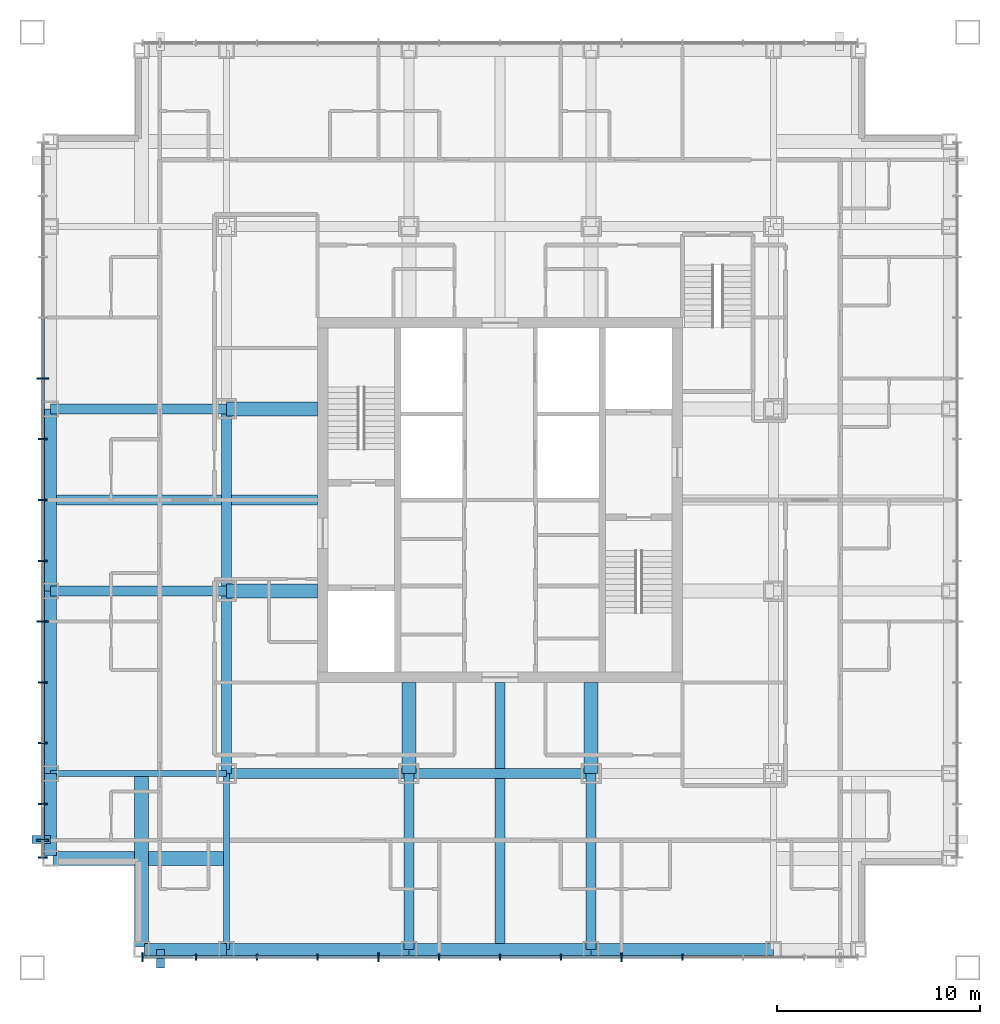
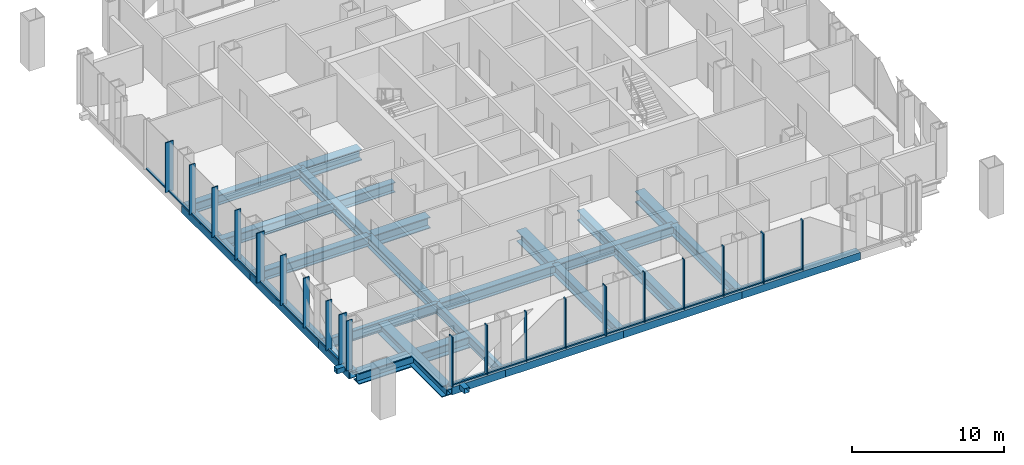
# One storey, part 2 of 15: 40 members, 25 beams, 2 elements without a shape of their own.
"""IFC4 building model written with IfcOpenShell, lengths in metres."""

from ifc_helpers import new_model, si_unit, direction, frame, origin, origin_2d, place, context, subcontext, project, spatial, rectangle, hollow_rectangle, i_section, extrude, material, layer, layer_set, material_profile, profile_set, type_object, element, aggregate, save


model = new_model("IFC4")

# Units and contexts
model_context = context("Model", 3, precision=1e-05, world=origin(), true_north=direction((0.0, 1.0)))
body_context = subcontext(model_context, "Body", "Model", "MODEL_VIEW")
ifc_project = project(units=[si_unit("LENGTHUNIT", "METRE"), si_unit("AREAUNIT", "SQUARE_METRE"), si_unit("VOLUMEUNIT", "CUBIC_METRE"), si_unit("PLANEANGLEUNIT", "RADIAN"), si_unit("MASSUNIT", "GRAM", prefix="KILO")], contexts=[model_context])

# Site, building, storey
site_placement = place(None, origin())
site = spatial("IfcSite", under=ifc_project, at=site_placement, CompositionType="ELEMENT")
building_placement = place(site_placement, origin())
building = spatial("IfcBuilding", under=site, at=building_placement, Name="Malebo Sky Hospital", CompositionType="ELEMENT")
storey_placement = place(building_placement, frame((0.0, 0.0, 181.0)))
storey = spatial("IfcBuildingStorey", under=building, at=storey_placement, Name="L43", CompositionType="ELEMENT", Elevation=181.0)

# Curtain wall, members
ifc_material_1 = material(Name="Anodised aluminium, natural silver", Category="aluminium")
ifc_layer_1 = layer(ifc_material_1, 0.25)
ifc_layer_set_1 = layer_set([ifc_layer_1], Name="WARD CURTAIN WALL EAST AND WEST")
curtain_wall_type_1 = type_object("IfcCurtainWallType", Name="WARD CURTAIN WALL EAST AND WEST", PredefinedType="NOTDEFINED", material=ifc_layer_set_1)
curtain_wall_1_placement = place(storey_placement, origin())
curtain_wall_1 = element("IfcCurtainWall", 1, at=curtain_wall_1_placement, inside=storey, type_object=curtain_wall_type_1, Name="EW curtain wall W", PredefinedType="NOTDEFINED")
ifc_material_profile_1 = material_profile(ifc_material_1, rectangle(XDim=0.14990234375, YDim=0.10009765625, at=origin_2d()), Name="ALUMINIUM TRANSOM 150x100")
ifc_profile_set_1 = profile_set([ifc_material_profile_1], Name="Anodised aluminium, natural silver")
member_type_1 = type_object("IfcMemberType", Name="ALUMINIUM TRANSOM 150x100", PredefinedType="USERDEFINED", material=ifc_profile_set_1)
member_1_placement = place(storey_placement, frame((37.425048828125, 45.237548828125, 0.050048828125), z_axis=(0.0, 1.0, 0.0), x_axis=(-1.0, 0.0, 0.0)))
member_1 = element("IfcMember", 2, at=member_1_placement, type_object=member_type_1, Name="Transom 2", ObjectType="TRANSOM", PredefinedType="USERDEFINED", context=body_context, shape_type="SweptSolid", body=[
    extrude(rectangle(XDim=0.14990234375, YDim=0.10009765625, at=origin_2d()), origin(), (0.0, 0.0, 1.0), 1.724853515625),
])
member_2_placement = place(storey_placement, frame((37.425048828125, 47.03759765625, 0.050048828125), z_axis=(0.0, 1.0, 0.0), x_axis=(-1.0, 0.0, 0.0)))
member_2 = element("IfcMember", 3, at=member_2_placement, type_object=member_type_1, Name="Transom 3", ObjectType="TRANSOM", PredefinedType="USERDEFINED", context=body_context, shape_type="SweptSolid", body=[
    extrude(rectangle(XDim=0.14990234375, YDim=0.10009765625, at=origin_2d()), origin(), (0.0, 0.0, 1.0), 2.9248046875),
])
member_3_placement = place(storey_placement, frame((37.425048828125, 50.03759765625, 0.050048828125), z_axis=(0.0, 1.0, 0.0), x_axis=(-1.0, 0.0, 0.0)))
member_3 = element("IfcMember", 4, at=member_3_placement, type_object=member_type_1, Name="Transom 4", ObjectType="TRANSOM", PredefinedType="USERDEFINED", context=body_context, shape_type="SweptSolid", body=[
    extrude(rectangle(XDim=0.14990234375, YDim=0.10009765625, at=origin_2d()), origin(), (0.0, 0.0, 1.0), 2.9248046875),
])
member_4_placement = place(storey_placement, frame((37.425048828125, 53.03759765625, 0.050048828125), z_axis=(0.0, 1.0, 0.0), x_axis=(-1.0, 0.0, 0.0)))
member_4 = element("IfcMember", 5, at=member_4_placement, type_object=member_type_1, Name="Transom 5", ObjectType="TRANSOM", PredefinedType="USERDEFINED", context=body_context, shape_type="SweptSolid", body=[
    extrude(rectangle(XDim=0.14990234375, YDim=0.10009765625, at=origin_2d()), origin(), (0.0, 0.0, 1.0), 2.9248046875),
])
member_5_placement = place(storey_placement, frame((37.425048828125, 56.03759765625, 0.050048828125), z_axis=(0.0, 1.0, 0.0), x_axis=(-1.0, 0.0, 0.0)))
member_5 = element("IfcMember", 6, at=member_5_placement, type_object=member_type_1, Name="Transom 6", ObjectType="TRANSOM", PredefinedType="USERDEFINED", context=body_context, shape_type="SweptSolid", body=[
    extrude(rectangle(XDim=0.14990234375, YDim=0.10009765625, at=origin_2d()), origin(), (0.0, 0.0, 1.0), 2.9248046875),
])
member_6_placement = place(storey_placement, frame((37.425048828125, 59.03759765625, 0.050048828125), z_axis=(0.0, 1.0, 0.0), x_axis=(-1.0, 0.0, 0.0)))
member_6 = element("IfcMember", 7, at=member_6_placement, type_object=member_type_1, Name="Transom 7", ObjectType="TRANSOM", PredefinedType="USERDEFINED", context=body_context, shape_type="SweptSolid", body=[
    extrude(rectangle(XDim=0.14990234375, YDim=0.10009765625, at=origin_2d()), origin(), (0.0, 0.0, 1.0), 2.9248046875),
])
member_7_placement = place(storey_placement, frame((37.425048828125, 62.03759765625, 0.050048828125), z_axis=(0.0, 1.0, 0.0), x_axis=(-1.0, 0.0, 0.0)))
member_7 = element("IfcMember", 8, at=member_7_placement, type_object=member_type_1, Name="Transom 8", ObjectType="TRANSOM", PredefinedType="USERDEFINED", context=body_context, shape_type="SweptSolid", body=[
    extrude(rectangle(XDim=0.14990234375, YDim=0.10009765625, at=origin_2d()), origin(), (0.0, 0.0, 1.0), 2.9248046875),
])
member_8_placement = place(storey_placement, frame((37.425048828125, 65.03759765625, 0.050048828125), z_axis=(0.0, 1.0, 0.0), x_axis=(-1.0, 0.0, 0.0)))
member_8 = element("IfcMember", 9, at=member_8_placement, type_object=member_type_1, Name="Transom 9", ObjectType="TRANSOM", PredefinedType="USERDEFINED", context=body_context, shape_type="SweptSolid", body=[
    extrude(rectangle(XDim=0.14990234375, YDim=0.10009765625, at=origin_2d()), origin(), (0.0, 0.0, 1.0), 2.9248046875),
])
member_9_placement = place(storey_placement, frame((37.425048828125, 68.03759765625, 0.050048828125), z_axis=(0.0, 1.0, 0.0), x_axis=(-1.0, 0.0, 0.0)))
member_9 = element("IfcMember", 10, at=member_9_placement, type_object=member_type_1, Name="Transom 10", ObjectType="TRANSOM", PredefinedType="USERDEFINED", context=body_context, shape_type="SweptSolid", body=[
    extrude(rectangle(XDim=0.14990234375, YDim=0.10009765625, at=origin_2d()), origin(), (0.0, 0.0, 1.0), 2.9248046875),
])

ifc_layer_2 = layer(ifc_material_1, 0.25)
ifc_layer_set_2 = layer_set([ifc_layer_2], Name="WARD CURTAIN WALL NORTH AND SOUTH")
curtain_wall_type_2 = type_object("IfcCurtainWallType", Name="WARD CURTAIN WALL NORTH AND SOUTH", PredefinedType="NOTDEFINED", material=ifc_layer_set_2)
curtain_wall_2_placement = place(storey_placement, origin())
curtain_wall_2 = element("IfcCurtainWall", 11, at=curtain_wall_2_placement, inside=storey, type_object=curtain_wall_type_2, Name="NS curtain wall S", PredefinedType="NOTDEFINED")
member_10_placement = place(storey_placement, frame((68.96240234375, 39.425048828125, 0.050048828125), z_axis=(-1.0, 0.0, 0.0), x_axis=(0.0, -1.0, 0.0)))
member_10 = element("IfcMember", 12, at=member_10_placement, type_object=member_type_1, Name="Transom 5", ObjectType="TRANSOM", PredefinedType="USERDEFINED", context=body_context, shape_type="SweptSolid", body=[
    extrude(rectangle(XDim=0.14990234375, YDim=0.10009765625, at=origin_2d()), origin(), (0.0, 0.0, 1.0), 2.9248046875),
])
member_11_placement = place(storey_placement, frame((65.96240234375, 39.425048828125, 0.050048828125), z_axis=(-1.0, 0.0, 0.0), x_axis=(0.0, -1.0, 0.0)))
member_11 = element("IfcMember", 13, at=member_11_placement, type_object=member_type_1, Name="Transom 6", ObjectType="TRANSOM", PredefinedType="USERDEFINED", context=body_context, shape_type="SweptSolid", body=[
    extrude(rectangle(XDim=0.14990234375, YDim=0.10009765625, at=origin_2d()), origin(), (0.0, 0.0, 1.0), 2.9248046875),
])
member_12_placement = place(storey_placement, frame((62.96240234375, 39.425048828125, 0.050048828125), z_axis=(-1.0, 0.0, 0.0), x_axis=(0.0, -1.0, 0.0)))
member_12 = element("IfcMember", 14, at=member_12_placement, type_object=member_type_1, Name="Transom 7", ObjectType="TRANSOM", PredefinedType="USERDEFINED", context=body_context, shape_type="SweptSolid", body=[
    extrude(rectangle(XDim=0.14990234375, YDim=0.10009765625, at=origin_2d()), origin(), (0.0, 0.0, 1.0), 2.9248046875),
])
member_13_placement = place(storey_placement, frame((59.96240234375, 39.425048828125, 0.050048828125), z_axis=(-1.0, 0.0, 0.0), x_axis=(0.0, -1.0, 0.0)))
member_13 = element("IfcMember", 15, at=member_13_placement, type_object=member_type_1, Name="Transom 8", ObjectType="TRANSOM", PredefinedType="USERDEFINED", context=body_context, shape_type="SweptSolid", body=[
    extrude(rectangle(XDim=0.14990234375, YDim=0.10009765625, at=origin_2d()), origin(), (0.0, 0.0, 1.0), 2.9248046875),
])
member_14_placement = place(storey_placement, frame((56.96240234375, 39.425048828125, 0.050048828125), z_axis=(-1.0, 0.0, 0.0), x_axis=(0.0, -1.0, 0.0)))
member_14 = element("IfcMember", 16, at=member_14_placement, type_object=member_type_1, Name="Transom 9", ObjectType="TRANSOM", PredefinedType="USERDEFINED", context=body_context, shape_type="SweptSolid", body=[
    extrude(rectangle(XDim=0.14990234375, YDim=0.10009765625, at=origin_2d()), origin(), (0.0, 0.0, 1.0), 2.9248046875),
])
member_15_placement = place(storey_placement, frame((53.96240234375, 39.425048828125, 0.050048828125), z_axis=(-1.0, 0.0, 0.0), x_axis=(0.0, -1.0, 0.0)))
member_15 = element("IfcMember", 17, at=member_15_placement, type_object=member_type_1, Name="Transom 10", ObjectType="TRANSOM", PredefinedType="USERDEFINED", context=body_context, shape_type="SweptSolid", body=[
    extrude(rectangle(XDim=0.14990234375, YDim=0.10009765625, at=origin_2d()), origin(), (0.0, 0.0, 1.0), 2.9248046875),
])
member_16_placement = place(storey_placement, frame((50.96240234375, 39.425048828125, 0.050048828125), z_axis=(-1.0, 0.0, 0.0), x_axis=(0.0, -1.0, 0.0)))
member_16 = element("IfcMember", 18, at=member_16_placement, type_object=member_type_1, Name="Transom 11", ObjectType="TRANSOM", PredefinedType="USERDEFINED", context=body_context, shape_type="SweptSolid", body=[
    extrude(rectangle(XDim=0.14990234375, YDim=0.10009765625, at=origin_2d()), origin(), (0.0, 0.0, 1.0), 2.9248046875),
])
member_17_placement = place(storey_placement, frame((47.96240234375, 39.425048828125, 0.050048828125), z_axis=(-1.0, 0.0, 0.0), x_axis=(0.0, -1.0, 0.0)))
member_17 = element("IfcMember", 19, at=member_17_placement, type_object=member_type_1, Name="Transom 12", ObjectType="TRANSOM", PredefinedType="USERDEFINED", context=body_context, shape_type="SweptSolid", body=[
    extrude(rectangle(XDim=0.14990234375, YDim=0.10009765625, at=origin_2d()), origin(), (0.0, 0.0, 1.0), 2.9248046875),
])
member_18_placement = place(storey_placement, frame((44.96240234375, 39.425048828125, 0.050048828125), z_axis=(-1.0, 0.0, 0.0), x_axis=(0.0, -1.0, 0.0)))
member_18 = element("IfcMember", 20, at=member_18_placement, type_object=member_type_1, Name="Transom 13", ObjectType="TRANSOM", PredefinedType="USERDEFINED", context=body_context, shape_type="SweptSolid", body=[
    extrude(rectangle(XDim=0.14990234375, YDim=0.10009765625, at=origin_2d()), origin(), (0.0, 0.0, 1.0), 2.58740234375),
])

# Members
ifc_material_2 = material(Name="Steel S355", Category="steel")
ifc_material_profile_2 = material_profile(ifc_material_2, hollow_rectangle(XDim=0.39990234375, YDim=0.39990234375, WallThickness=0.02001953125, at=origin_2d()), Name="SHS 400x20")
ifc_profile_set_2 = profile_set([ifc_material_profile_2], Name="Steel S355")
member_type_2 = type_object("IfcMemberType", Name="BRACE STRUT SHS 400x20", PredefinedType="STRUT", material=ifc_profile_set_2)
for number, where, z_axis, x_axis, name in (
    (21, (43.235595703125, 38.89990234375, -0.39990234375), (0.0, 1.0, 0.0), (-1.0, 0.0, 0.0), "Brace strut CS1 L43"),
    (22, (36.89990234375, 45.235595703125, -0.39990234375), (1.0, 0.0, 0.0), (0.0, 1.0, 0.0), "Brace strut CW2 L43"),
):
    element("IfcMember", number, at=place(storey_placement, frame(where, z_axis=z_axis, x_axis=x_axis)), inside=storey, type_object=member_type_2, Name=name, PredefinedType="STRUT", context=body_context, shape_type="SweptSolid", body=[
        extrude(hollow_rectangle(XDim=0.39990234375, YDim=0.39990234375, WallThickness=0.02001953125, at=origin_2d()), origin(), (0.0, 0.0, 1.0), 0.900146484375),
    ])

# Member
ifc_material_profile_3 = material_profile(ifc_material_1, rectangle(XDim=0.074951171875, YDim=0.300048828125, at=origin_2d()), Name="CW1 ALUMINIUM FIN MULLION 75x300")
ifc_profile_set_3 = profile_set([ifc_material_profile_3], Name="Anodised aluminium, natural silver")
member_type_3 = type_object("IfcMemberType", Name="CW1 ALUMINIUM FIN MULLION 75x300", PredefinedType="MULLION", material=ifc_profile_set_3)
member_19_placement = place(storey_placement, frame((69.0, 39.425048828125, 0.0), z_axis=(0.0, 0.0, 1.0), x_axis=(-1.0, 0.0, 0.0)))
member_19 = element("IfcMember", 23, at=member_19_placement, type_object=member_type_3, Name="Fin mullion 5", PredefinedType="MULLION", context=body_context, shape_type="SweptSolid", body=[
    extrude(rectangle(XDim=0.074951171875, YDim=0.300048828125, at=origin_2d()), origin(), (0.0, 0.0, 1.0), 4.0),
])

member_20_placement = place(storey_placement, frame((63.0, 39.425048828125, 0.0), z_axis=(0.0, 0.0, 1.0), x_axis=(-1.0, 0.0, 0.0)))
member_20 = element("IfcMember", 24, at=member_20_placement, type_object=member_type_3, Name="Fin mullion 7", PredefinedType="MULLION", context=body_context, shape_type="SweptSolid", body=[
    extrude(rectangle(XDim=0.074951171875, YDim=0.300048828125, at=origin_2d()), origin(), (0.0, 0.0, 1.0), 4.0),
])

member_21_placement = place(storey_placement, frame((60.0, 39.425048828125, 0.0), z_axis=(0.0, 0.0, 1.0), x_axis=(-1.0, 0.0, 0.0)))
member_21 = element("IfcMember", 25, at=member_21_placement, type_object=member_type_3, Name="Fin mullion 8", PredefinedType="MULLION", context=body_context, shape_type="SweptSolid", body=[
    extrude(rectangle(XDim=0.074951171875, YDim=0.300048828125, at=origin_2d()), origin(), (0.0, 0.0, 1.0), 4.0),
])

member_22_placement = place(storey_placement, frame((57.0, 39.425048828125, 0.0), z_axis=(0.0, 0.0, 1.0), x_axis=(-1.0, 0.0, 0.0)))
member_22 = element("IfcMember", 26, at=member_22_placement, type_object=member_type_3, Name="Fin mullion 9", PredefinedType="MULLION", context=body_context, shape_type="SweptSolid", body=[
    extrude(rectangle(XDim=0.074951171875, YDim=0.300048828125, at=origin_2d()), origin(), (0.0, 0.0, 1.0), 4.0),
])

member_23_placement = place(storey_placement, frame((51.0, 39.425048828125, 0.0), z_axis=(0.0, 0.0, 1.0), x_axis=(-1.0, 0.0, 0.0)))
member_23 = element("IfcMember", 27, at=member_23_placement, type_object=member_type_3, Name="Fin mullion 11", PredefinedType="MULLION", context=body_context, shape_type="SweptSolid", body=[
    extrude(rectangle(XDim=0.074951171875, YDim=0.300048828125, at=origin_2d()), origin(), (0.0, 0.0, 1.0), 4.0),
])

member_24_placement = place(storey_placement, frame((48.0, 39.425048828125, 0.0), z_axis=(0.0, 0.0, 1.0), x_axis=(-1.0, 0.0, 0.0)))
member_24 = element("IfcMember", 28, at=member_24_placement, type_object=member_type_3, Name="Fin mullion 12", PredefinedType="MULLION", context=body_context, shape_type="SweptSolid", body=[
    extrude(rectangle(XDim=0.074951171875, YDim=0.300048828125, at=origin_2d()), origin(), (0.0, 0.0, 1.0), 4.0),
])

member_25_placement = place(storey_placement, frame((45.0, 39.425048828125, 0.0), z_axis=(0.0, 0.0, 1.0), x_axis=(-1.0, 0.0, 0.0)))
member_25 = element("IfcMember", 29, at=member_25_placement, type_object=member_type_3, Name="Fin mullion 13", PredefinedType="MULLION", context=body_context, shape_type="SweptSolid", body=[
    extrude(rectangle(XDim=0.074951171875, YDim=0.300048828125, at=origin_2d()), origin(), (0.0, 0.0, 1.0), 4.0),
])

ifc_material_profile_4 = material_profile(ifc_material_1, rectangle(XDim=0.074951171875, YDim=0.449951171875, at=origin_2d()), Name="CW1 ALUMINIUM FIN MULLION 75x450")
ifc_profile_set_4 = profile_set([ifc_material_profile_4], Name="Anodised aluminium, natural silver")
member_type_4 = type_object("IfcMemberType", Name="CW1 ALUMINIUM FIN MULLION 75x450", PredefinedType="MULLION", material=ifc_profile_set_4)
member_26_placement = place(storey_placement, frame((66.0, 39.425048828125, 0.0), z_axis=(0.0, 0.0, 1.0), x_axis=(-1.0, 0.0, 0.0)))
member_26 = element("IfcMember", 30, at=member_26_placement, type_object=member_type_4, Name="Fin mullion 6", PredefinedType="MULLION", context=body_context, shape_type="SweptSolid", body=[
    extrude(rectangle(XDim=0.074951171875, YDim=0.449951171875, at=origin_2d()), origin(), (0.0, 0.0, 1.0), 4.0),
])

member_27_placement = place(storey_placement, frame((54.0, 39.425048828125, 0.0), z_axis=(0.0, 0.0, 1.0), x_axis=(-1.0, 0.0, 0.0)))
member_27 = element("IfcMember", 31, at=member_27_placement, type_object=member_type_4, Name="Fin mullion 10", PredefinedType="MULLION", context=body_context, shape_type="SweptSolid", body=[
    extrude(rectangle(XDim=0.074951171875, YDim=0.449951171875, at=origin_2d()), origin(), (0.0, 0.0, 1.0), 4.0),
])

member_28_placement = place(storey_placement, frame((42.33740234375, 39.425048828125, 0.0), z_axis=(0.0, 0.0, 1.0), x_axis=(-1.0, 0.0, 0.0)))
member_28 = element("IfcMember", 32, at=member_28_placement, type_object=member_type_4, Name="Fin mullion 14", PredefinedType="MULLION", context=body_context, shape_type="SweptSolid", body=[
    extrude(rectangle(XDim=0.074951171875, YDim=0.449951171875, at=origin_2d()), origin(), (0.0, 0.0, 1.0), 4.0),
])

aggregate(curtain_wall_2, [member_19, member_26, member_20, member_21, member_22, member_27, member_23, member_24, member_25, member_28, member_10, member_11, member_12, member_13, member_14, member_15, member_16, member_17, member_18])

ifc_material_profile_5 = material_profile(ifc_material_1, rectangle(XDim=0.074951171875, YDim=0.449951171875, at=origin_2d()), Name="CW2 ALUMINIUM FIN MULLION 75x450")
ifc_profile_set_5 = profile_set([ifc_material_profile_5], Name="Anodised aluminium, natural silver")
member_type_5 = type_object("IfcMemberType", Name="CW2 ALUMINIUM FIN MULLION 75x450", PredefinedType="MULLION", material=ifc_profile_set_5)
member_29_placement = place(storey_placement, frame((37.425048828125, 44.33740234375, 0.0), z_axis=(0.0, 0.0, 1.0), x_axis=(0.0, 1.0, 0.0)))
member_29 = element("IfcMember", 33, at=member_29_placement, type_object=member_type_5, Name="Fin mullion 1", PredefinedType="MULLION", context=body_context, shape_type="SweptSolid", body=[
    extrude(rectangle(XDim=0.074951171875, YDim=0.449951171875, at=origin_2d()), origin(), (0.0, 0.0, 1.0), 4.0),
])

member_30_placement = place(storey_placement, frame((37.425048828125, 47.0, 0.0), z_axis=(0.0, 0.0, 1.0), x_axis=(0.0, 1.0, 0.0)))
member_30 = element("IfcMember", 34, at=member_30_placement, type_object=member_type_5, Name="Fin mullion 3", PredefinedType="MULLION", context=body_context, shape_type="SweptSolid", body=[
    extrude(rectangle(XDim=0.074951171875, YDim=0.449951171875, at=origin_2d()), origin(), (0.0, 0.0, 1.0), 4.0),
])

member_31_placement = place(storey_placement, frame((37.425048828125, 50.0, 0.0), z_axis=(0.0, 0.0, 1.0), x_axis=(0.0, 1.0, 0.0)))
member_31 = element("IfcMember", 35, at=member_31_placement, type_object=member_type_5, Name="Fin mullion 4", PredefinedType="MULLION", context=body_context, shape_type="SweptSolid", body=[
    extrude(rectangle(XDim=0.074951171875, YDim=0.449951171875, at=origin_2d()), origin(), (0.0, 0.0, 1.0), 4.0),
])

member_32_placement = place(storey_placement, frame((37.425048828125, 53.0, 0.0), z_axis=(0.0, 0.0, 1.0), x_axis=(0.0, 1.0, 0.0)))
member_32 = element("IfcMember", 36, at=member_32_placement, type_object=member_type_5, Name="Fin mullion 5", PredefinedType="MULLION", context=body_context, shape_type="SweptSolid", body=[
    extrude(rectangle(XDim=0.074951171875, YDim=0.449951171875, at=origin_2d()), origin(), (0.0, 0.0, 1.0), 4.0),
])

member_33_placement = place(storey_placement, frame((37.425048828125, 59.0, 0.0), z_axis=(0.0, 0.0, 1.0), x_axis=(0.0, 1.0, 0.0)))
member_33 = element("IfcMember", 37, at=member_33_placement, type_object=member_type_5, Name="Fin mullion 7", PredefinedType="MULLION", context=body_context, shape_type="SweptSolid", body=[
    extrude(rectangle(XDim=0.074951171875, YDim=0.449951171875, at=origin_2d()), origin(), (0.0, 0.0, 1.0), 4.0),
])

member_34_placement = place(storey_placement, frame((37.425048828125, 62.0, 0.0), z_axis=(0.0, 0.0, 1.0), x_axis=(0.0, 1.0, 0.0)))
member_34 = element("IfcMember", 38, at=member_34_placement, type_object=member_type_5, Name="Fin mullion 8", PredefinedType="MULLION", context=body_context, shape_type="SweptSolid", body=[
    extrude(rectangle(XDim=0.074951171875, YDim=0.449951171875, at=origin_2d()), origin(), (0.0, 0.0, 1.0), 4.0),
])

member_35_placement = place(storey_placement, frame((37.425048828125, 65.0, 0.0), z_axis=(0.0, 0.0, 1.0), x_axis=(0.0, 1.0, 0.0)))
member_35 = element("IfcMember", 39, at=member_35_placement, type_object=member_type_5, Name="Fin mullion 9", PredefinedType="MULLION", context=body_context, shape_type="SweptSolid", body=[
    extrude(rectangle(XDim=0.074951171875, YDim=0.449951171875, at=origin_2d()), origin(), (0.0, 0.0, 1.0), 4.0),
])

ifc_material_profile_6 = material_profile(ifc_material_1, rectangle(XDim=0.074951171875, YDim=0.60009765625, at=origin_2d()), Name="CW2 ALUMINIUM FIN MULLION 75x600")
ifc_profile_set_6 = profile_set([ifc_material_profile_6], Name="Anodised aluminium, natural silver")
member_type_6 = type_object("IfcMemberType", Name="CW2 ALUMINIUM FIN MULLION 75x600", PredefinedType="MULLION", material=ifc_profile_set_6)
member_36_placement = place(storey_placement, frame((37.425048828125, 45.199951171875, 0.0), z_axis=(0.0, 0.0, 1.0), x_axis=(0.0, 1.0, 0.0)))
member_36 = element("IfcMember", 40, at=member_36_placement, type_object=member_type_6, Name="Fin mullion 2", PredefinedType="MULLION", context=body_context, shape_type="SweptSolid", body=[
    extrude(rectangle(XDim=0.074951171875, YDim=0.60009765625, at=origin_2d()), origin(), (0.0, 0.0, 1.0), 4.0),
])

member_37_placement = place(storey_placement, frame((37.425048828125, 56.0, 0.0), z_axis=(0.0, 0.0, 1.0), x_axis=(0.0, 1.0, 0.0)))
member_37 = element("IfcMember", 41, at=member_37_placement, type_object=member_type_6, Name="Fin mullion 6", PredefinedType="MULLION", context=body_context, shape_type="SweptSolid", body=[
    extrude(rectangle(XDim=0.074951171875, YDim=0.60009765625, at=origin_2d()), origin(), (0.0, 0.0, 1.0), 4.0),
])

member_38_placement = place(storey_placement, frame((37.425048828125, 68.0, 0.0), z_axis=(0.0, 0.0, 1.0), x_axis=(0.0, 1.0, 0.0)))
member_38 = element("IfcMember", 42, at=member_38_placement, type_object=member_type_6, Name="Fin mullion 10", PredefinedType="MULLION", context=body_context, shape_type="SweptSolid", body=[
    extrude(rectangle(XDim=0.074951171875, YDim=0.60009765625, at=origin_2d()), origin(), (0.0, 0.0, 1.0), 4.0),
])

aggregate(curtain_wall_1, [member_29, member_36, member_30, member_31, member_32, member_37, member_33, member_34, member_35, member_38, member_1, member_2, member_3, member_4, member_5, member_6, member_7, member_8, member_9])

# Beams
ifc_material_3 = material(Name="Steel S460", Category="steel")
ifc_material_profile_7 = material_profile(ifc_material_3, hollow_rectangle(XDim=0.60009765625, YDim=0.60009765625, WallThickness=0.0400390625, at=origin_2d()), Name="BOX 600x600x40")
ifc_profile_set_7 = profile_set([ifc_material_profile_7], Name="Steel S460")
beam_type_1 = type_object("IfcBeamType", Name="EDGE BEAM BOX 600x600x40", PredefinedType="BEAM", material=ifc_profile_set_7)
beam_1_placement = place(storey_placement, frame((37.800048828125, 44.449951171875, -0.550048828125), z_axis=(0.0, 1.0, 0.0), x_axis=(-1.0, 0.0, 0.0)))
element("IfcBeam", 43, at=beam_1_placement, inside=storey, type_object=beam_type_1, Name="Beam 000 L43", PredefinedType="BEAM", context=body_context, shape_type="SweptSolid", body=[
    extrude(hollow_rectangle(XDim=0.60009765625, YDim=0.60009765625, WallThickness=0.0400390625, at=origin_2d()), origin(), (0.0, 0.0, 1.0), 4.050048828125),
])
for number, where, z_axis, x_axis, name in (
    (44, (37.800048828125, 48.5, -0.550048828125), (0.0, 1.0, 0.0), (-1.0, 0.0, 0.0), "Beam 001 L43"),
    (45, (37.800048828125, 57.5, -0.550048828125), (0.0, 1.0, 0.0), (-1.0, 0.0, 0.0), "Beam 002 L43"),
):
    element("IfcBeam", number, at=place(storey_placement, frame(where, z_axis=z_axis, x_axis=x_axis)), inside=storey, type_object=beam_type_1, Name=name, PredefinedType="BEAM", context=body_context, shape_type="SweptSolid", body=[
        extrude(hollow_rectangle(XDim=0.60009765625, YDim=0.60009765625, WallThickness=0.0400390625, at=origin_2d()), origin(), (0.0, 0.0, 1.0), 9.0),
    ])
beam_2_placement = place(storey_placement, frame((42.449951171875, 39.800048828125, -0.550048828125), z_axis=(1.0, 0.0, 0.0), x_axis=(0.0, 1.0, 0.0)))
element("IfcBeam", 46, at=beam_2_placement, inside=storey, type_object=beam_type_1, Name="Beam 034 L43", PredefinedType="BEAM", context=body_context, shape_type="SweptSolid", body=[
    extrude(hollow_rectangle(XDim=0.60009765625, YDim=0.60009765625, WallThickness=0.0400390625, at=origin_2d()), origin(), (0.0, 0.0, 1.0), 4.050048828125),
])
for number, where, z_axis, x_axis, name in (
    (47, (46.5, 39.800048828125, -0.550048828125), (1.0, 0.0, 0.0), (0.0, 1.0, 0.0), "Beam 035 L43"),
    (48, (55.5, 39.800048828125, -0.550048828125), (1.0, 0.0, 0.0), (0.0, 1.0, 0.0), "Beam 036 L43"),
    (49, (64.5, 39.800048828125, -0.550048828125), (1.0, 0.0, 0.0), (0.0, 1.0, 0.0), "Beam 037 L43"),
):
    element("IfcBeam", number, at=place(storey_placement, frame(where, z_axis=z_axis, x_axis=x_axis)), inside=storey, type_object=beam_type_1, Name=name, PredefinedType="BEAM", context=body_context, shape_type="SweptSolid", body=[
        extrude(hollow_rectangle(XDim=0.60009765625, YDim=0.60009765625, WallThickness=0.0400390625, at=origin_2d()), origin(), (0.0, 0.0, 1.0), 9.0),
    ])
ifc_material_profile_8 = material_profile(ifc_material_2, i_section(OverallWidth=0.5, OverallDepth=0.800048828125, WebThickness=0.030029296875, FlangeThickness=0.050048828125, at=origin_2d()), Name="PG 800x500x30x50")
ifc_profile_set_8 = profile_set([ifc_material_profile_8], Name="Steel S355")
beam_type_2 = type_object("IfcBeamType", Name="FLOOR BEAM PG 800x500x30x50", PredefinedType="BEAM", material=ifc_profile_set_8)
beam_3_placement = place(storey_placement, frame((46.5, 48.5, -0.64990234375), z_axis=(0.0, 1.0, 0.0), x_axis=(-1.0, 0.0, 0.0)))
element("IfcBeam", 50, at=beam_3_placement, inside=storey, type_object=beam_type_2, Name="Beam 008 L43", PredefinedType="BEAM", context=body_context, shape_type="SweptSolid", body=[
    extrude(i_section(OverallWidth=0.5, OverallDepth=0.800048828125, WebThickness=0.030029296875, FlangeThickness=0.050048828125, at=origin_2d()), origin(), (0.0, 0.0, 1.0), 9.0),
])
beam_4_placement = place(storey_placement, frame((55.5, 39.800048828125, -0.64990234375), z_axis=(0.0, 1.0, 0.0), x_axis=(-1.0, 0.0, 0.0)))
element("IfcBeam", 51, at=beam_4_placement, inside=storey, type_object=beam_type_2, Name="Beam 012 L43", PredefinedType="BEAM", context=body_context, shape_type="SweptSolid", body=[
    extrude(i_section(OverallWidth=0.5, OverallDepth=0.800048828125, WebThickness=0.030029296875, FlangeThickness=0.050048828125, at=origin_2d()), origin(), (0.0, 0.0, 1.0), 8.699951171875),
])
beam_5_placement = place(storey_placement, frame((60.0, 39.800048828125, -0.64990234375), z_axis=(0.0, 1.0, 0.0), x_axis=(-1.0, 0.0, 0.0)))
element("IfcBeam", 52, at=beam_5_placement, inside=storey, type_object=beam_type_2, Name="Beam 016 L43", PredefinedType="BEAM", context=body_context, shape_type="SweptSolid", body=[
    extrude(i_section(OverallWidth=0.5, OverallDepth=0.800048828125, WebThickness=0.030029296875, FlangeThickness=0.050048828125, at=origin_2d()), origin(), (0.0, 0.0, 1.0), 13.199951171875),
])
beam_6_placement = place(storey_placement, frame((64.5, 39.800048828125, -0.64990234375), z_axis=(0.0, 1.0, 0.0), x_axis=(-1.0, 0.0, 0.0)))
element("IfcBeam", 53, at=beam_6_placement, inside=storey, type_object=beam_type_2, Name="Beam 018 L43", PredefinedType="BEAM", context=body_context, shape_type="SweptSolid", body=[
    extrude(i_section(OverallWidth=0.5, OverallDepth=0.800048828125, WebThickness=0.030029296875, FlangeThickness=0.050048828125, at=origin_2d()), origin(), (0.0, 0.0, 1.0), 8.699951171875),
])
beam_7_placement = place(storey_placement, frame((46.5, 48.5, -0.64990234375), z_axis=(1.0, 0.0, 0.0), x_axis=(0.0, 1.0, 0.0)))
element("IfcBeam", 54, at=beam_7_placement, inside=storey, type_object=beam_type_2, Name="Beam 042 L43", PredefinedType="BEAM", context=body_context, shape_type="SweptSolid", body=[
    extrude(i_section(OverallWidth=0.5, OverallDepth=0.800048828125, WebThickness=0.030029296875, FlangeThickness=0.050048828125, at=origin_2d()), origin(), (0.0, 0.0, 1.0), 9.0),
])
beam_8_placement = place(storey_placement, frame((37.800048828125, 57.5, -0.64990234375), z_axis=(1.0, 0.0, 0.0), x_axis=(0.0, 1.0, 0.0)))
element("IfcBeam", 55, at=beam_8_placement, inside=storey, type_object=beam_type_2, Name="Beam 046 L43", PredefinedType="BEAM", context=body_context, shape_type="SweptSolid", body=[
    extrude(i_section(OverallWidth=0.5, OverallDepth=0.800048828125, WebThickness=0.030029296875, FlangeThickness=0.050048828125, at=origin_2d()), origin(), (0.0, 0.0, 1.0), 8.699951171875),
])
beam_9_placement = place(storey_placement, frame((37.800048828125, 62.0, -0.64990234375), z_axis=(1.0, 0.0, 0.0), x_axis=(0.0, 1.0, 0.0)))
element("IfcBeam", 56, at=beam_9_placement, inside=storey, type_object=beam_type_2, Name="Beam 050 L43", PredefinedType="BEAM", context=body_context, shape_type="SweptSolid", body=[
    extrude(i_section(OverallWidth=0.5, OverallDepth=0.800048828125, WebThickness=0.030029296875, FlangeThickness=0.050048828125, at=origin_2d()), origin(), (0.0, 0.0, 1.0), 13.199951171875),
])
beam_10_placement = place(storey_placement, frame((37.800048828125, 66.5, -0.64990234375), z_axis=(1.0, 0.0, 0.0), x_axis=(0.0, 1.0, 0.0)))
element("IfcBeam", 57, at=beam_10_placement, inside=storey, type_object=beam_type_2, Name="Beam 052 L43", PredefinedType="BEAM", context=body_context, shape_type="SweptSolid", body=[
    extrude(i_section(OverallWidth=0.5, OverallDepth=0.800048828125, WebThickness=0.030029296875, FlangeThickness=0.050048828125, at=origin_2d()), origin(), (0.0, 0.0, 1.0), 8.699951171875),
])
ifc_material_profile_9 = material_profile(ifc_material_2, i_section(OverallWidth=0.699951171875, OverallDepth=0.89990234375, WebThickness=0.0400390625, FlangeThickness=0.070068359375, at=origin_2d()), Name="PG 900x700x40x70")
ifc_profile_set_9 = profile_set([ifc_material_profile_9], Name="Steel S355")
beam_type_3 = type_object("IfcBeamType", Name="FLOOR BEAM PG 900x700x40x70", PredefinedType="BEAM", material=ifc_profile_set_9)
beam_11_placement = place(storey_placement, frame((42.300048828125, 39.949951171875, -0.699951171875), z_axis=(0.0, 1.0, 0.0), x_axis=(-1.0, 0.0, 0.0)))
element("IfcBeam", 58, at=beam_11_placement, inside=storey, type_object=beam_type_3, Name="Beam 005 L43", PredefinedType="BEAM", context=body_context, shape_type="SweptSolid", body=[
    extrude(i_section(OverallWidth=0.699951171875, OverallDepth=0.89990234375, WebThickness=0.0400390625, FlangeThickness=0.070068359375, at=origin_2d()), origin(), (0.0, 0.0, 1.0), 8.550048828125),
])
for number, where, z_axis, x_axis, name in (
    (59, (55.5, 48.5, -0.699951171875), (0.0, 1.0, 0.0), (-1.0, 0.0, 0.0), "Beam 013 L43"),
    (60, (64.5, 48.5, -0.699951171875), (0.0, 1.0, 0.0), (-1.0, 0.0, 0.0), "Beam 019 L43"),
):
    element("IfcBeam", number, at=place(storey_placement, frame(where, z_axis=z_axis, x_axis=x_axis)), inside=storey, type_object=beam_type_3, Name=name, PredefinedType="BEAM", context=body_context, shape_type="SweptSolid", body=[
        extrude(i_section(OverallWidth=0.699951171875, OverallDepth=0.89990234375, WebThickness=0.0400390625, FlangeThickness=0.070068359375, at=origin_2d()), origin(), (0.0, 0.0, 1.0), 4.5),
    ])
beam_12_placement = place(storey_placement, frame((37.949951171875, 44.300048828125, -0.699951171875), z_axis=(1.0, 0.0, 0.0), x_axis=(0.0, 1.0, 0.0)))
element("IfcBeam", 61, at=beam_12_placement, inside=storey, type_object=beam_type_3, Name="Beam 039 L43", PredefinedType="BEAM", context=body_context, shape_type="SweptSolid", body=[
    extrude(i_section(OverallWidth=0.699951171875, OverallDepth=0.89990234375, WebThickness=0.0400390625, FlangeThickness=0.070068359375, at=origin_2d()), origin(), (0.0, 0.0, 1.0), 8.550048828125),
])
for number, where, z_axis, x_axis, name in (
    (62, (46.5, 57.5, -0.699951171875), (1.0, 0.0, 0.0), (0.0, 1.0, 0.0), "Beam 047 L43"),
    (63, (46.5, 66.5, -0.699951171875), (1.0, 0.0, 0.0), (0.0, 1.0, 0.0), "Beam 053 L43"),
):
    element("IfcBeam", number, at=place(storey_placement, frame(where, z_axis=z_axis, x_axis=x_axis)), inside=storey, type_object=beam_type_3, Name=name, PredefinedType="BEAM", context=body_context, shape_type="SweptSolid", body=[
        extrude(i_section(OverallWidth=0.699951171875, OverallDepth=0.89990234375, WebThickness=0.0400390625, FlangeThickness=0.070068359375, at=origin_2d()), origin(), (0.0, 0.0, 1.0), 4.5),
    ])
ifc_material_profile_10 = material_profile(ifc_material_2, i_section(OverallWidth=0.300048828125, OverallDepth=0.800048828125, WebThickness=0.017578125, FlangeThickness=0.032958984375, FilletRadius=0.030029296875, at=origin_2d()), Name="HEB 800")
ifc_profile_set_10 = profile_set([ifc_material_profile_10], Name="Steel S355")
beam_type_4 = type_object("IfcBeamType", Name="FLOOR GIRDER HEB 800", PredefinedType="BEAM", material=ifc_profile_set_10)
for number, where, z_axis, x_axis, name in (
    (64, (46.5, 39.800048828125, -0.64990234375), (0.0, 1.0, 0.0), (-1.0, 0.0, 0.0), "Beam 007 L43"),
    (65, (37.800048828125, 48.5, -0.64990234375), (1.0, 0.0, 0.0), (0.0, 1.0, 0.0), "Beam 041 L43"),
):
    element("IfcBeam", number, at=place(storey_placement, frame(where, z_axis=z_axis, x_axis=x_axis)), inside=storey, type_object=beam_type_4, Name=name, PredefinedType="BEAM", context=body_context, shape_type="SweptSolid", body=[
        extrude(i_section(OverallWidth=0.300048828125, OverallDepth=0.800048828125, WebThickness=0.017578125, FlangeThickness=0.032958984375, FilletRadius=0.030029296875, at=origin_2d()), origin(), (0.0, 0.0, 1.0), 8.699951171875),
    ])
ifc_material_profile_11 = material_profile(ifc_material_2, i_section(OverallWidth=0.5, OverallDepth=0.800048828125, WebThickness=0.030029296875, FlangeThickness=0.050048828125, at=origin_2d()), Name="PG 800x500x30x50")
ifc_profile_set_11 = profile_set([ifc_material_profile_11], Name="Steel S355")
beam_type_5 = type_object("IfcBeamType", Name="RING GIRDER PG 800x500x30x50", PredefinedType="BEAM", material=ifc_profile_set_11)
for number, where, z_axis, x_axis, name in (
    (66, (46.5, 57.5, -0.64990234375), (0.0, 1.0, 0.0), (-1.0, 0.0, 0.0), "Beam 009 L43"),
    (67, (55.5, 48.5, -0.64990234375), (1.0, 0.0, 0.0), (0.0, 1.0, 0.0), "Beam 043 L43"),
):
    element("IfcBeam", number, at=place(storey_placement, frame(where, z_axis=z_axis, x_axis=x_axis)), inside=storey, type_object=beam_type_5, Name=name, PredefinedType="BEAM", context=body_context, shape_type="SweptSolid", body=[
        extrude(i_section(OverallWidth=0.5, OverallDepth=0.800048828125, WebThickness=0.030029296875, FlangeThickness=0.050048828125, at=origin_2d()), origin(), (0.0, 0.0, 1.0), 9.0),
    ])

save(model, "model.ifc")
